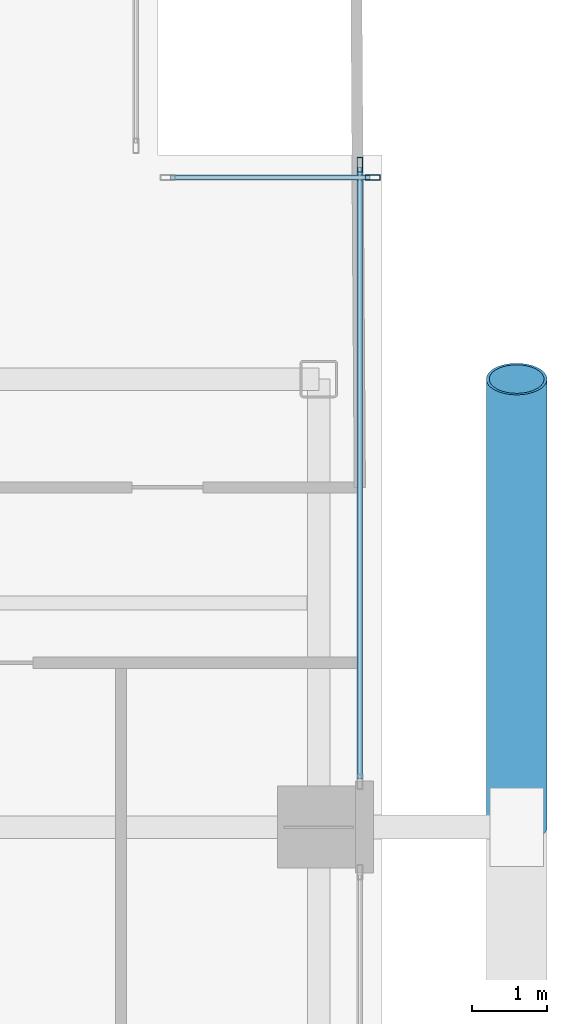
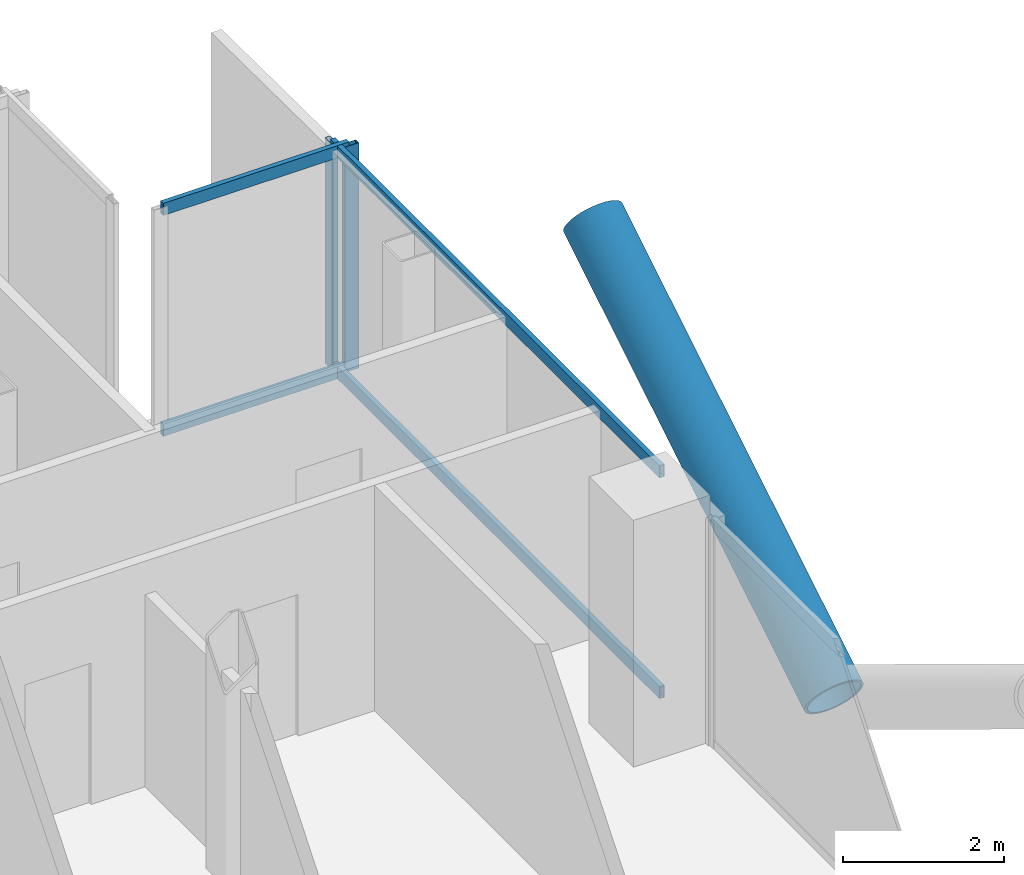
# One storey, part 13 of 24: 7 members, 2 elements without a shape of their own.
"""IFC4 building model written with IfcOpenShell, lengths in metres."""

import ifcopenshell
import ifcopenshell.guid

model = None  # the IFC model being written
_history = None  # IfcOwnerHistory: only IFC2X3 demands one
_inside = {}  # id of a spatial element -> (the spatial element, [elements in it])
_under = {}  # id of a project, library or spatial element -> (it, [spatial elements below it])
_declared = {}  # id of a project -> (the project, [libraries it declares])
_typed = {}  # id of a type object -> (the type object, [elements of that type])
_made_of = {}  # id of a material, layer set ... -> (it, [elements and type objects made of it])


def new_model(schema):
    """Start an empty IFC model of exactly this schema.

    Asked for "IFC4X3", IfcOpenShell would pick the latest addendum, in which some entities
    have other attributes; the version numbers below select the first issue.
    IFC2X3 requires an IfcOwnerHistory on every rooted entity: one is made here for all.
    """
    global model, _history
    if schema == "IFC4X3":
        model = ifcopenshell.file(schema_version=(4, 3, 0, 0))
    else:
        model = ifcopenshell.file(schema=schema)
    _inside.clear()
    _under.clear()
    _declared.clear()
    _typed.clear()
    _made_of.clear()
    _history = None
    if model.schema == "IFC2X3":
        org = make("IfcOrganization", Name="unknown")
        user = make(
            "IfcPersonAndOrganization",
            ThePerson=make("IfcPerson", FamilyName="unknown"),
            TheOrganization=org,
        )
        app = make(
            "IfcApplication",
            ApplicationDeveloper=org,
            Version="unknown",
            ApplicationFullName="unknown",
            ApplicationIdentifier="unknown",
        )
        _history = make(
            "IfcOwnerHistory",
            OwningUser=user,
            OwningApplication=app,
            ChangeAction="ADDED",
            CreationDate=0,
        )
    return model


def make(cls, **values):
    """One entity of the class cls with the attributes given. An attribute that is None is left unset."""
    return model.create_entity(
        cls, **{name: value for name, value in values.items() if value is not None}
    )


def rooted(cls, **values):
    """An entity with a GlobalId (a new one), such as an element, a storey or a relation."""
    return make(cls, GlobalId=ifcopenshell.guid.new(), OwnerHistory=_history, **values)


def si_unit(unit_type, name, prefix=None):
    """IfcSIUnit, for example si_unit("LENGTHUNIT", "METRE", prefix="MILLI")."""
    return make("IfcSIUnit", UnitType=unit_type, Prefix=prefix, Name=name)


def assignment(units):
    """IfcUnitAssignment: the units of a project."""
    return None if units is None else make("IfcUnitAssignment", Units=units)


def point(xyz):
    """IfcCartesianPoint."""
    return None if xyz is None else make("IfcCartesianPoint", Coordinates=xyz)


def direction(xyz):
    """IfcDirection."""
    return None if xyz is None else make("IfcDirection", DirectionRatios=xyz)


def frame(location, z_axis=None, x_axis=None):
    """IfcAxis2Placement3D, a coordinate frame: its origin and axes. An axis left out is left unset."""
    return make(
        "IfcAxis2Placement3D",
        Location=point(location),
        Axis=direction(z_axis),
        RefDirection=direction(x_axis),
    )


def frame_2d(location, x_axis=None):
    """IfcAxis2Placement2D, a coordinate frame in the plane: its origin and x axis."""
    return make(
        "IfcAxis2Placement2D", Location=point(location), RefDirection=direction(x_axis)
    )


def origin():
    """The frame at (0, 0, 0) with its axes left unset."""
    return frame((0.0, 0.0, 0.0))


def origin_2d():
    """The frame at (0, 0) in the plane with its x axis left unset."""
    return frame_2d((0.0, 0.0))


def place(relative_to, where):
    """IfcLocalPlacement: puts the frame where relative to a parent placement (None: the world)."""
    return make(
        "IfcLocalPlacement", PlacementRelTo=relative_to, RelativePlacement=where
    )


def context(
    kind, dimensions, precision=None, world=None, true_north=None, identifier=None
):
    """IfcGeometricRepresentationContext, for example the 3D "Model" context."""
    return make(
        "IfcGeometricRepresentationContext",
        ContextIdentifier=identifier,
        ContextType=kind,
        CoordinateSpaceDimension=dimensions,
        Precision=precision,
        WorldCoordinateSystem=world,
        TrueNorth=true_north,
    )


def subcontext(parent, identifier, kind, view, scale=None):
    """IfcGeometricRepresentationSubContext, for example "Body" below "Model"."""
    return make(
        "IfcGeometricRepresentationSubContext",
        ContextIdentifier=identifier,
        ContextType=kind,
        ParentContext=parent,
        TargetScale=scale,
        TargetView=view,
    )


def project(units=None, contexts=None):
    """IfcProject with its units and contexts."""
    return rooted(
        "IfcProject",
        Name="project",
        RepresentationContexts=contexts,
        UnitsInContext=assignment(units),
    )


def spatial(cls, under=None, at=None, **own):
    """A site, building, storey or space (cls), placed at a placement, below another one or the project."""
    s = rooted(cls, ObjectPlacement=at, **own)
    if under is not None:
        _under.setdefault(under.id(), (under, []))[1].append(s)
    return s


def profile(cls, at=None, kind="AREA", **sizes):
    """A parametric profile (cls). Its sizes go by their IFC names, for example OverallWidth=200.0."""
    return make(cls, ProfileType=kind, Position=at, **sizes)


def hollow_rectangle(**sizes):
    """IfcRectangleHollowProfileDef."""
    return profile("IfcRectangleHollowProfileDef", **sizes)


def hollow_circle(**sizes):
    """IfcCircleHollowProfileDef."""
    return profile("IfcCircleHollowProfileDef", **sizes)


def extrude(swept, where, along, depth):
    """IfcExtrudedAreaSolid: the profile swept, set in the frame where, extruded along a direction by depth."""
    return make(
        "IfcExtrudedAreaSolid",
        SweptArea=swept,
        Position=where,
        ExtrudedDirection=direction(along),
        Depth=depth,
    )


def shape(context_of_items, identifier, shape_type, items):
    """IfcShapeRepresentation: the items that make up one representation, for example the "Body"."""
    return make(
        "IfcShapeRepresentation",
        ContextOfItems=context_of_items,
        RepresentationIdentifier=identifier,
        RepresentationType=shape_type,
        Items=items,
    )


def material(Name=None, Category=None):
    """IfcMaterial."""
    return make("IfcMaterial", Name=Name, Category=Category)


def layer(
    of_material, thickness, ventilated=None, Name=None, Category=None, Priority=None
):
    """IfcMaterialLayer: one layer of a wall or slab, of a material (None: an air gap)."""
    return make(
        "IfcMaterialLayer",
        Material=of_material,
        LayerThickness=thickness,
        IsVentilated=ventilated,
        Name=Name,
        Category=Category,
        Priority=Priority,
    )


def layer_set(layers, Name=None):
    """IfcMaterialLayerSet."""
    return make("IfcMaterialLayerSet", MaterialLayers=layers, LayerSetName=Name)


def material_profile(
    of_material, cross_section, Name=None, Category=None, Priority=None
):
    """IfcMaterialProfile: a cross section and its material."""
    return make(
        "IfcMaterialProfile",
        Name=Name,
        Material=of_material,
        Profile=cross_section,
        Priority=Priority,
        Category=Category,
    )


def profile_set(profiles, Name=None, composite=None):
    """IfcMaterialProfileSet."""
    return make(
        "IfcMaterialProfileSet",
        Name=Name,
        MaterialProfiles=profiles,
        CompositeProfile=composite,
    )


def made_of(thing, what):
    """Note that an element or type object is made of a material, layer set ...; save() writes the relation."""
    if what is not None:
        _made_of.setdefault(what.id(), (what, []))[1].append(thing)
    return thing


def type_object(cls, material=None, **own):
    """A type object (cls), such as IfcWallType, which elements share."""
    return made_of(rooted(cls, **own), material)


def element(
    cls,
    number,
    at=None,
    inside=None,
    cuts=None,
    type_object=None,
    material=None,
    context=None,
    identifier="Body",
    shape_type=None,
    held_by="IfcProductDefinitionShape",
    body=None,
    shapes=None,
    **own,
):
    """One element of the class cls, such as IfcWall. Its Tag is "e" and its number.

    at: its placement. inside: the storey or other place that contains it. cuts: it is an
    opening in that element (IfcRelVoidsElement). A single representation is given by context,
    identifier, shape_type and body (its items); several are given by shapes. held_by: the class
    of the entity that holds the representations. save() writes the other relations.
    """
    e = rooted(cls, Tag="e%d" % number, ObjectPlacement=at, **own)
    if body is not None:
        shapes = [shape(context, identifier, shape_type, body)]
    if shapes is not None:
        e.Representation = make(held_by, Representations=shapes)
    if inside is not None:
        _inside.setdefault(inside.id(), (inside, []))[1].append(e)
    if cuts is not None:
        rooted(
            "IfcRelVoidsElement", RelatingBuildingElement=cuts, RelatedOpeningElement=e
        )
    if type_object is not None:
        _typed.setdefault(type_object.id(), (type_object, []))[1].append(e)
    return made_of(e, material)


def aggregate(whole, parts):
    """IfcRelAggregates: a whole, such as a stair, and the parts it consists of."""
    return rooted("IfcRelAggregates", RelatingObject=whole, RelatedObjects=parts)


def save(model, path):
    """Write the relations noted so far, then the file.

    IfcRelAggregates (storeys below a building ...), IfcRelContainedInSpatialStructure (elements
    in a storey), IfcRelDefinesByType, IfcRelAssociatesMaterial and IfcRelDeclares: one each for
    every whole, place, type object, material and project.
    """
    for whole, parts in _under.values():
        aggregate(whole, parts)
    for where, things in _inside.values():
        rooted(
            "IfcRelContainedInSpatialStructure",
            RelatedElements=things,
            RelatingStructure=where,
        )
    for kind, things in _typed.values():
        rooted("IfcRelDefinesByType", RelatedObjects=things, RelatingType=kind)
    for what, things in _made_of.values():
        rooted("IfcRelAssociatesMaterial", RelatedObjects=things, RelatingMaterial=what)
    for by, libraries in _declared.values():
        rooted("IfcRelDeclares", RelatingContext=by, RelatedDefinitions=libraries)
    model.write(path)


model = new_model("IFC4")

# Units and contexts
model_context = context("Model", 3, precision=1e-05, world=origin(), true_north=direction((0.0, 1.0)))
body_context = subcontext(model_context, "Body", "Model", "MODEL_VIEW")
ifc_project = project(units=[si_unit("LENGTHUNIT", "METRE"), si_unit("AREAUNIT", "SQUARE_METRE"), si_unit("VOLUMEUNIT", "CUBIC_METRE"), si_unit("PLANEANGLEUNIT", "RADIAN"), si_unit("MASSUNIT", "GRAM", prefix="KILO"), si_unit("THERMODYNAMICTEMPERATUREUNIT", "KELVIN"), si_unit("POWERUNIT", "WATT")], contexts=[model_context])

# Site, building, storey
site_placement = place(None, origin())
site = spatial("IfcSite", under=ifc_project, at=site_placement, CompositionType="ELEMENT")
building_placement = place(site_placement, origin())
building = spatial("IfcBuilding", under=site, at=building_placement, Name="Svarakhadi Broadcast Tower", CompositionType="ELEMENT")
storey_placement = place(building_placement, frame((0.0, 0.0, 160.64990234375)))
storey = spatial("IfcBuildingStorey", under=building, at=storey_placement, Name="L39", CompositionType="ELEMENT", Elevation=160.64990234375)

# Curtain wall, member
ifc_material_1 = material(Name="Anodised Bronze Aluminium AA 6063-T6", Category="aluminium")
ifc_layer = layer(ifc_material_1, 0.199951171875)
ifc_layer_set = layer_set([ifc_layer], Name="Anodised Bronze Aluminium AA 6063-T6")
curtain_wall_type = type_object("IfcCurtainWallType", Name="CW_Sys_03", PredefinedType="NOTDEFINED", material=ifc_layer_set)
curtain_wall_1_placement = place(storey_placement, origin())
curtain_wall_1 = element("IfcCurtainWall", 1, at=curtain_wall_1_placement, inside=storey, type_object=curtain_wall_type, Name="L39 Unitised Facade Curtain Wall 12", PredefinedType="NOTDEFINED")
ifc_material_profile_1 = material_profile(ifc_material_1, hollow_rectangle(XDim=0.074951171875, YDim=0.199951171875, WallThickness=0.005615234375, at=origin_2d()), Name="ALU MULLION 200x75x6")
ifc_profile_set_1 = profile_set([ifc_material_profile_1], Name="Anodised Bronze Aluminium AA 6063-T6")
member_type_1 = type_object("IfcMemberType", Name="CW_Sys_03_Mul", PredefinedType="MULLION", material=ifc_profile_set_1)
member_1_placement = place(storey_placement, frame((47.87255859375, 20.699951171875, 0.0), z_axis=(0.0, 0.0, 1.0), x_axis=(0.0, 1.0, 0.0)))
member_1 = element("IfcMember", 2, at=member_1_placement, type_object=member_type_1, Name="CW-03 mullion 2", PredefinedType="MULLION", context=body_context, shape_type="SweptSolid", body=[
    extrude(hollow_rectangle(XDim=0.074951171875, YDim=0.199951171875, WallThickness=0.005615234375, at=origin_2d()), origin(), (0.0, 0.0, 1.0), 3.425048828125),
])

curtain_wall_2_placement = place(storey_placement, origin())
curtain_wall_2 = element("IfcCurtainWall", 3, at=curtain_wall_2_placement, inside=storey, type_object=curtain_wall_type, Name="L39 Unitised Facade Curtain Wall 13 Bay 1", PredefinedType="NOTDEFINED")
member_2_placement = place(storey_placement, frame((47.699951171875, 20.87255859375, 0.0), z_axis=(0.0, 0.0, 1.0), x_axis=(1.0, 0.0, 0.0)))
member_2 = element("IfcMember", 4, at=member_2_placement, type_object=member_type_1, Name="CW-03 mullion 1", PredefinedType="MULLION", context=body_context, shape_type="SweptSolid", body=[
    extrude(hollow_rectangle(XDim=0.074951171875, YDim=0.199951171875, WallThickness=0.005615234375, at=origin_2d()), origin(), (0.0, 0.0, 1.0), 3.425048828125),
])

# Member
ifc_material_profile_2 = material_profile(ifc_material_1, hollow_rectangle(XDim=0.070068359375, YDim=0.18505859375, WallThickness=0.0048828125, at=origin_2d()), Name="ALU TRANSOM 185x70x5")
ifc_profile_set_2 = profile_set([ifc_material_profile_2], Name="Anodised Bronze Aluminium AA 6063-T6")
member_type_2 = type_object("IfcMemberType", Name="CW_Sys_03_Trn", PredefinedType="USERDEFINED", material=ifc_profile_set_2)
member_3_placement = place(storey_placement, frame((45.1650390625, 20.699951171875, 0.03515625), z_axis=(1.0, 0.0, 0.0), x_axis=(0.0, 1.0, 0.0)))
member_3 = element("IfcMember", 5, at=member_3_placement, type_object=member_type_2, Name="CW-03 transom 1.1", ObjectType="TRANSOM", PredefinedType="USERDEFINED", context=body_context, shape_type="SweptSolid", body=[
    extrude(hollow_rectangle(XDim=0.070068359375, YDim=0.18505859375, WallThickness=0.0048828125, at=origin_2d()), origin(), (0.0, 0.0, 1.0), 2.669921875),
])

member_4_placement = place(storey_placement, frame((45.1650390625, 20.699951171875, 3.39013671875), z_axis=(1.0, 0.0, 0.0), x_axis=(0.0, 1.0, 0.0)))
member_4 = element("IfcMember", 6, at=member_4_placement, type_object=member_type_2, Name="CW-03 transom 1.2", ObjectType="TRANSOM", PredefinedType="USERDEFINED", context=body_context, shape_type="SweptSolid", body=[
    extrude(hollow_rectangle(XDim=0.070068359375, YDim=0.18505859375, WallThickness=0.0048828125, at=origin_2d()), origin(), (0.0, 0.0, 1.0), 2.669921875),
])

aggregate(curtain_wall_1, [member_1, member_3, member_4])

member_5_placement = place(storey_placement, frame((47.699951171875, 20.8349609375, 0.03515625), z_axis=(0.0, -1.0, 0.0), x_axis=(1.0, 0.0, 0.0)))
member_5 = element("IfcMember", 7, at=member_5_placement, type_object=member_type_2, Name="CW-03 transom 1.1", ObjectType="TRANSOM", PredefinedType="USERDEFINED", context=body_context, shape_type="SweptSolid", body=[
    extrude(hollow_rectangle(XDim=0.070068359375, YDim=0.18505859375, WallThickness=0.0048828125, at=origin_2d()), origin(), (0.0, 0.0, 1.0), 8.18994140625),
])

member_6_placement = place(storey_placement, frame((47.699951171875, 20.8349609375, 3.39013671875), z_axis=(0.0, -1.0, 0.0), x_axis=(1.0, 0.0, 0.0)))
member_6 = element("IfcMember", 8, at=member_6_placement, type_object=member_type_2, Name="CW-03 transom 1.2", ObjectType="TRANSOM", PredefinedType="USERDEFINED", context=body_context, shape_type="SweptSolid", body=[
    extrude(hollow_rectangle(XDim=0.070068359375, YDim=0.18505859375, WallThickness=0.0048828125, at=origin_2d()), origin(), (0.0, 0.0, 1.0), 8.18994140625),
])

aggregate(curtain_wall_2, [member_2, member_5, member_6])

ifc_material_2 = material(Name="Steel S460ML (IS 2062 E450BR)", Category="steel")
ifc_material_profile_3 = material_profile(ifc_material_2, hollow_circle(Radius=0.406494140625, WallThickness=0.0400390625, at=origin_2d()), Name="CHS 813x40")
ifc_profile_set_3 = profile_set([ifc_material_profile_3], Name="Steel S460ML (IS 2062 E450BR)")
member_type_3 = type_object("IfcMemberType", Name="Exo_Brace_CHS813", PredefinedType="BRACE", material=ifc_profile_set_3)
member_7_placement = place(storey_placement, frame((49.800048828125, 12.0, -0.386962890625), z_axis=(0.0, 0.854326743865, 0.519736293438), x_axis=(-1.0, 0.0, 0.0)))
element("IfcMember", 9, at=member_7_placement, inside=storey, type_object=member_type_3, Name="L39 Exposed Bronze Exoskeleton Diagonal E07", PredefinedType="BRACE", context=body_context, shape_type="SweptSolid", body=[
    extrude(hollow_circle(Radius=0.406494140625, WallThickness=0.0400390625, at=origin_2d()), origin(), (0.0, 0.0, 1.0), 7.023193359375),
])

save(model, "model.ifc")
